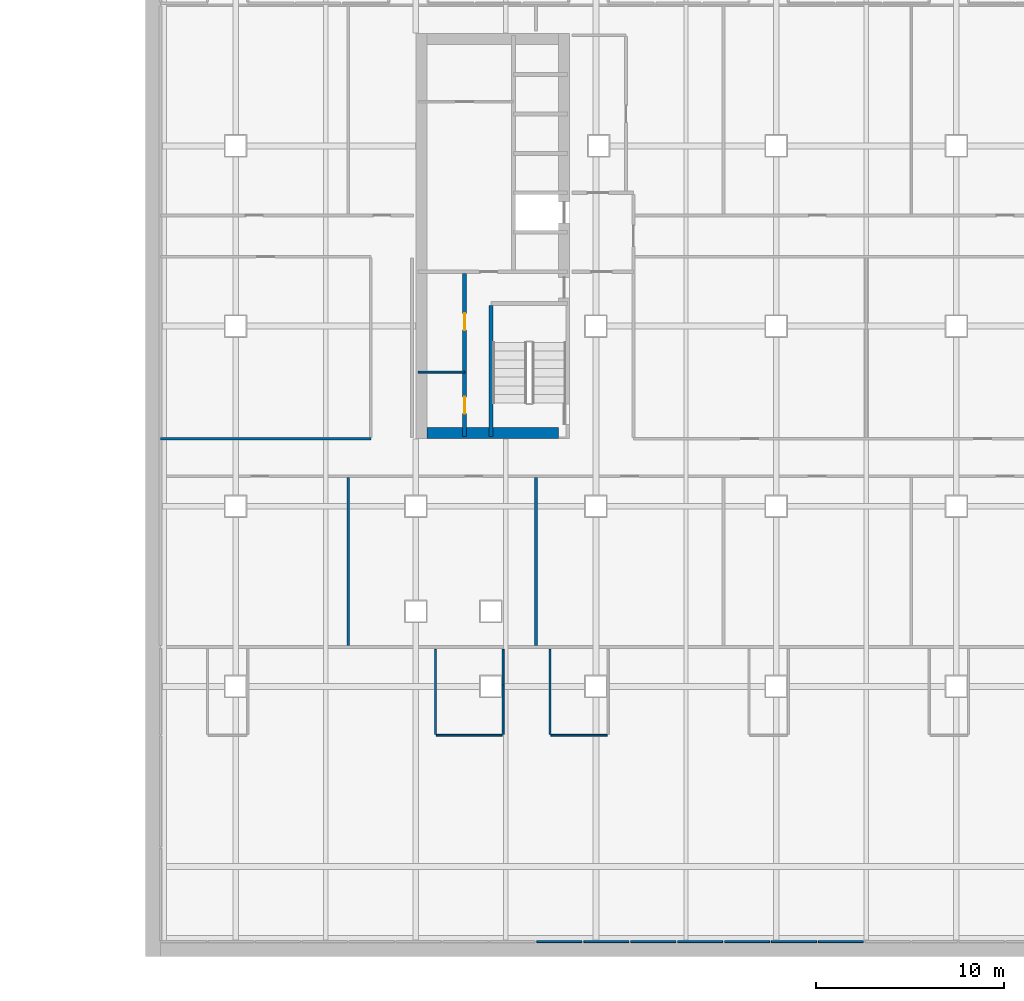
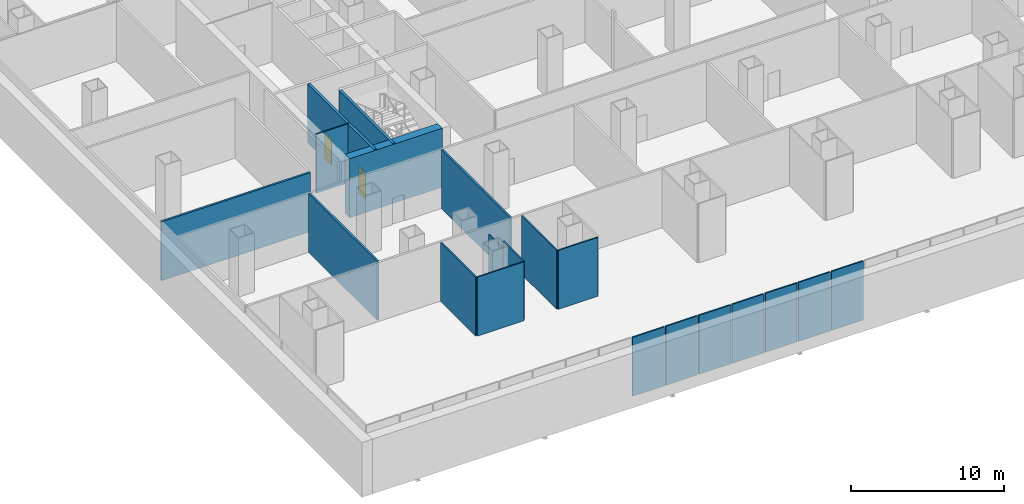
# One storey, part 5 of 11: 20 walls, 2 doors, 2 openings.
"""IFC4 building model written with IfcOpenShell, lengths in metres."""

from ifc_helpers import new_model, si_unit, direction, frame, frame_2d, origin, place, context, subcontext, project, spatial, rectangle, extrude, material, layer, layer_set, type_object, element, fill, save


model = new_model("IFC4")

# Units and contexts
model_context = context("Model", 3, precision=1e-05, world=origin(), true_north=direction((0.0, 1.0)))
body_context = subcontext(model_context, "Body", "Model", "MODEL_VIEW")
ifc_project = project(units=[si_unit("LENGTHUNIT", "METRE"), si_unit("AREAUNIT", "SQUARE_METRE"), si_unit("VOLUMEUNIT", "CUBIC_METRE"), si_unit("PLANEANGLEUNIT", "RADIAN"), si_unit("MASSUNIT", "GRAM", prefix="KILO")], contexts=[model_context])

# Site, building, storey
site_placement = place(None, origin())
site = spatial("IfcSite", under=ifc_project, at=site_placement, CompositionType="ELEMENT")
building_placement = place(site_placement, origin())
building = spatial("IfcBuilding", under=site, at=building_placement, Name="Cobrizo Arcos Hotel Tower", CompositionType="ELEMENT")
storey_placement = place(building_placement, frame((0.0, 0.0, -5.0)))
storey = spatial("IfcBuildingStorey", under=building, at=storey_placement, Name="B1", CompositionType="ELEMENT", Elevation=-5.0)

# Walls
ifc_material_1 = material(Name="Gypsum board partition")
ifc_layer_1 = layer(ifc_material_1, 0.14990234375)
ifc_layer_set_1 = layer_set([ifc_layer_1], Name="Corridor wall EI 60 150")
wall_type_1 = type_object("IfcWallType", Name="Corridor wall EI 60 150", PredefinedType="PARTITIONING", material=ifc_layer_set_1)
wall_1_placement = place(storey_placement, frame((-37.60009765625, -10.800048828125, 0.0), z_axis=(0.0, 0.0, 1.0), x_axis=(1.0, 0.0, 0.0)))
element("IfcWall", 1, at=wall_1_placement, inside=storey, type_object=wall_type_1, Name="Partition 060", PredefinedType="PARTITIONING", context=body_context, shape_type="SweptSolid", body=[
    extrude(rectangle(XDim=11.2001953125, YDim=0.14990234375, at=frame_2d((5.60009765625, 0.0))), origin(), (0.0, 0.0, 1.0), 4.699951171875),
])
for number, where, z_axis, x_axis, name in (
    (2, (-27.60009765625, -21.824951171875, 0.0), (0.0, 0.0, 1.0), (0.0, 1.0, 0.0), "Partition 148"),
    (3, (-17.60009765625, -21.824951171875, 0.0), (0.0, 0.0, 1.0), (0.0, 1.0, 0.0), "Partition 161"),
):
    element("IfcWall", number, at=place(storey_placement, frame(where, z_axis=z_axis, x_axis=x_axis)), inside=storey, type_object=wall_type_1, Name=name, PredefinedType="PARTITIONING", context=body_context, shape_type="SweptSolid", body=[
        extrude(rectangle(XDim=8.949951171875, YDim=0.14990234375, at=frame_2d((4.47509765625, 0.0))), origin(), (0.0, 0.0, 1.0), 4.699951171875),
    ])
ifc_layer_2 = layer(ifc_material_1, 0.10009765625)
ifc_layer_set_2 = layer_set([ifc_layer_2], Name="Partition EI 30 100")
wall_type_2 = type_object("IfcWallType", Name="Partition EI 30 100", PredefinedType="PARTITIONING", material=ifc_layer_set_2)
for number, where, z_axis, x_axis, name in (
    (4, (-17.550048828125, -37.60009765625, 0.0), (0.0, 0.0, 1.0), (1.0, 0.0, 0.0), "Partition 009"),
    (5, (-15.050048828125, -37.60009765625, 0.0), (0.0, 0.0, 1.0), (1.0, 0.0, 0.0), "Partition 010"),
    (6, (-12.550048828125, -37.60009765625, 0.0), (0.0, 0.0, 1.0), (1.0, 0.0, 0.0), "Partition 011"),
    (7, (-10.050048828125, -37.60009765625, 0.0), (0.0, 0.0, 1.0), (1.0, 0.0, 0.0), "Partition 012"),
    (8, (-7.550048828125, -37.60009765625, 0.0), (0.0, 0.0, 1.0), (1.0, 0.0, 0.0), "Partition 013"),
    (9, (-5.050048828125, -37.60009765625, 0.0), (0.0, 0.0, 1.0), (1.0, 0.0, 0.0), "Partition 014"),
    (10, (-2.550048828125, -37.60009765625, 0.0), (0.0, 0.0, 1.0), (1.0, 0.0, 0.0), "Partition 015"),
):
    element("IfcWall", number, at=place(storey_placement, frame(where, z_axis=z_axis, x_axis=x_axis)), inside=storey, type_object=wall_type_2, Name=name, PredefinedType="PARTITIONING", context=body_context, shape_type="SweptSolid", body=[
        extrude(rectangle(XDim=2.400146484375, YDim=0.10009765625, at=frame_2d((1.2001953125, 0.0))), origin(), (0.0, 0.0, 1.0), 4.699951171875),
    ])
wall_2_placement = place(storey_placement, frame((-22.89990234375, -26.60009765625, 0.0), z_axis=(0.0, 0.0, 1.0), x_axis=(1.0, 0.0, 0.0)))
element("IfcWall", 11, at=wall_2_placement, inside=storey, type_object=wall_type_2, Name="Partition 031", PredefinedType="PARTITIONING", context=body_context, shape_type="SweptSolid", body=[
    extrude(rectangle(XDim=3.5, YDim=0.10009765625, at=frame_2d((1.75, 0.0))), origin(), (0.0, 0.0, 1.0), 4.699951171875),
])
wall_3_placement = place(storey_placement, frame((-16.800048828125, -26.60009765625, 0.0), z_axis=(0.0, 0.0, 1.0), x_axis=(1.0, 0.0, 0.0)))
element("IfcWall", 12, at=wall_3_placement, inside=storey, type_object=wall_type_2, Name="Partition 032", PredefinedType="PARTITIONING", context=body_context, shape_type="SweptSolid", body=[
    extrude(rectangle(XDim=3.0, YDim=0.10009765625, at=frame_2d((1.5, 0.0))), origin(), (0.0, 0.0, 1.0), 4.699951171875),
])
wall_4_placement = place(storey_placement, frame((-23.8798828125, -7.25, 0.0), z_axis=(0.0, 0.0, 1.0), x_axis=(1.0, 0.0, 0.0)))
element("IfcWall", 13, at=wall_4_placement, inside=storey, type_object=wall_type_2, Name="Partition 063", PredefinedType="PARTITIONING", context=body_context, shape_type="SweptSolid", body=[
    extrude(rectangle(XDim=2.47998046875, YDim=0.10009765625, at=frame_2d((1.239990234375, 0.0))), origin(), (0.0, 0.0, 1.0), 4.699951171875),
])
wall_5_placement = place(storey_placement, frame((-22.949951171875, -26.550048828125, 0.0), z_axis=(0.0, 0.0, 1.0), x_axis=(0.0, 1.0, 0.0)))
element("IfcWall", 14, at=wall_5_placement, inside=storey, type_object=wall_type_2, Name="Partition 154", PredefinedType="PARTITIONING", context=body_context, shape_type="SweptSolid", body=[
    extrude(rectangle(XDim=4.525146484375, YDim=0.10009765625, at=frame_2d((2.2626953125, 0.0))), origin(), (0.0, 0.0, 1.0), 4.699951171875),
])
wall_6_placement = place(storey_placement, frame((-19.35009765625, -26.550048828125, 0.0), z_axis=(0.0, 0.0, 1.0), x_axis=(0.0, 1.0, 0.0)))
element("IfcWall", 15, at=wall_6_placement, inside=storey, type_object=wall_type_2, Name="Partition 158", PredefinedType="PARTITIONING", context=body_context, shape_type="SweptSolid", body=[
    extrude(rectangle(XDim=2.64013671875, YDim=0.10009765625, at=frame_2d((1.320068359375, 0.0))), origin(), (0.0, 0.0, 1.0), 4.699951171875),
])
wall_7_placement = place(storey_placement, frame((-19.35009765625, -23.909912109375, 0.0), z_axis=(0.0, 0.0, 1.0), x_axis=(0.0, 1.0, 0.0)))
element("IfcWall", 16, at=wall_7_placement, inside=storey, type_object=wall_type_2, Name="Partition 159", PredefinedType="PARTITIONING", context=body_context, shape_type="SweptSolid", body=[
    extrude(rectangle(XDim=1.885009765625, YDim=0.10009765625, at=frame_2d((0.9423828125, 0.0))), origin(), (0.0, 0.0, 1.0), 4.0830078125),
])
wall_8_placement = place(storey_placement, frame((-16.85009765625, -26.550048828125, 0.0), z_axis=(0.0, 0.0, 1.0), x_axis=(0.0, 1.0, 0.0)))
element("IfcWall", 17, at=wall_8_placement, inside=storey, type_object=wall_type_2, Name="Partition 164", PredefinedType="PARTITIONING", context=body_context, shape_type="SweptSolid", body=[
    extrude(rectangle(XDim=4.525146484375, YDim=0.10009765625, at=frame_2d((2.2626953125, 0.0))), origin(), (0.0, 0.0, 1.0), 4.699951171875),
])
ifc_material_2 = material(Name="Concrete f'c 60 MPa", Category="concrete")
ifc_layer_3 = layer(ifc_material_2, 0.60009765625)
ifc_layer_set_3 = layer_set([ifc_layer_3], Name="RC core wall 600 f'c 60")
wall_type_3 = type_object("IfcWallType", Name="RC core wall 600 f'c 60", PredefinedType="SHEAR", material=ifc_layer_set_3)
wall_9_placement = place(storey_placement, frame((-23.39990234375, -10.5, 0.0), z_axis=(0.0, 0.0, 1.0), x_axis=(1.0, 0.0, 0.0)))
element("IfcWall", 18, at=wall_9_placement, inside=storey, type_object=wall_type_3, Name="Core wall CW1, west core, south end, B1", PredefinedType="SHEAR", context=body_context, shape_type="SweptSolid", body=[
    extrude(rectangle(XDim=7.0, YDim=0.60009765625, at=frame_2d((3.5, 0.0))), origin(), (0.0, 0.0, 1.0), 4.699951171875),
])

# Wall, openings, doors
ifc_layer_4 = layer(ifc_material_1, 0.199951171875)
ifc_layer_set_4 = layer_set([ifc_layer_4], Name="Shaft wall EI 120 200")
wall_type_4 = type_object("IfcWallType", Name="Shaft wall EI 120 200", PredefinedType="PARTITIONING", material=ifc_layer_set_4)
wall_10_placement = place(storey_placement, frame((-21.39990234375, -10.679931640625, 0.0), z_axis=(0.0, 0.0, 1.0), x_axis=(0.0, 1.0, 0.0)))
wall_10 = element("IfcWall", 19, at=wall_10_placement, inside=storey, type_object=wall_type_4, Name="Partition 156", PredefinedType="PARTITIONING", context=body_context, shape_type="SweptSolid", body=[
    extrude(rectangle(XDim=8.679931640625, YDim=0.199951171875, at=frame_2d((4.33984375, 0.0))), origin(), (0.0, 0.0, 1.0), 4.699951171875),
])
opening_1_placement = place(wall_10_placement, frame((1.2099609375, 0.0, 0.0)))
opening_1 = element("IfcOpeningElement", 20, at=opening_1_placement, cuts=wall_10, Name="Opening RD-01", PredefinedType="OPENING", context=body_context, shape_type="SweptSolid", body=[
    extrude(rectangle(XDim=0.89990234375, YDim=2.10009765625, at=frame_2d((0.449951171875, 1.050048828125))), frame((0.0, 0.112060546875, 0.0), z_axis=(0.0, -1.0, 0.0), x_axis=(1.0, 0.0, 0.0)), (0.0, 0.0, 1.0), 0.223876953125),
])
opening_2_placement = place(wall_10_placement, frame((5.659912109375, 0.0, 0.0)))
opening_2 = element("IfcOpeningElement", 21, at=opening_2_placement, cuts=wall_10, Name="Opening RD-02", PredefinedType="OPENING", context=body_context, shape_type="SweptSolid", body=[
    extrude(rectangle(XDim=0.89990234375, YDim=2.10009765625, at=frame_2d((0.449951171875, 1.050048828125))), frame((0.0, 0.112060546875, 0.0), z_axis=(0.0, -1.0, 0.0), x_axis=(1.0, 0.0, 0.0)), (0.0, 0.0, 1.0), 0.223876953125),
])
ifc_material_3 = material(Name="Timber door leaf", Category="wood")
door_type = type_object("IfcDoorType", Name="Room door FD30 900x2100", OperationType="SINGLE_SWING_LEFT", PredefinedType="DOOR", material=ifc_material_3)
door_1_placement = place(opening_1_placement, origin())
door_1 = element("IfcDoor", 22, at=door_1_placement, inside=storey, type_object=door_type, Name="Door RD-01", OperationType="SINGLE_SWING_RIGHT", OverallHeight=2.10009765625, OverallWidth=0.89990234375, PredefinedType="DOOR", context=body_context, shape_type="SweptSolid", body=[
    extrude(rectangle(XDim=0.89990234375, YDim=2.10009765625, at=frame_2d((0.449951171875, 1.050048828125))), frame((0.0, 0.02490234375, 0.0), z_axis=(0.0, -1.0, 0.0), x_axis=(1.0, 0.0, 0.0)), (0.0, 0.0, 1.0), 0.050048828125),
])
fill(opening_1, door_1)
door_2_placement = place(opening_2_placement, origin())
door_2 = element("IfcDoor", 23, at=door_2_placement, inside=storey, type_object=door_type, Name="Door RD-02", OperationType="SINGLE_SWING_LEFT", OverallHeight=2.10009765625, OverallWidth=0.89990234375, PredefinedType="DOOR", context=body_context, shape_type="SweptSolid", body=[
    extrude(rectangle(XDim=0.89990234375, YDim=2.10009765625, at=frame_2d((0.449951171875, 1.050048828125))), frame((0.0, 0.02490234375, 0.0), z_axis=(0.0, -1.0, 0.0), x_axis=(1.0, 0.0, 0.0)), (0.0, 0.0, 1.0), 0.050048828125),
])
fill(opening_2, door_2)

# Wall
ifc_material_4 = material(Name="Concrete f'c 40 MPa", Category="concrete")
ifc_layer_5 = layer(ifc_material_4, 0.199951171875)
ifc_layer_set_5 = layer_set([ifc_layer_5], Name="Stair shaft wall 200")
wall_type_5 = type_object("IfcWallType", Name="Stair shaft wall 200", PredefinedType="SHEAR", material=ifc_layer_set_5)
wall_11_placement = place(storey_placement, frame((-20.0, -10.679931640625, 0.0), z_axis=(0.0, 0.0, 1.0), x_axis=(0.0, 1.0, 0.0)))
element("IfcWall", 24, at=wall_11_placement, inside=storey, type_object=wall_type_5, Name="Stair shaft wall W", PredefinedType="SHEAR", context=body_context, shape_type="SweptSolid", body=[
    extrude(rectangle(XDim=6.97998046875, YDim=0.199951171875, at=frame_2d((3.489990234375, 0.0))), origin(), (0.0, 0.0, 1.0), 4.699951171875),
])

save(model, "model.ifc")
